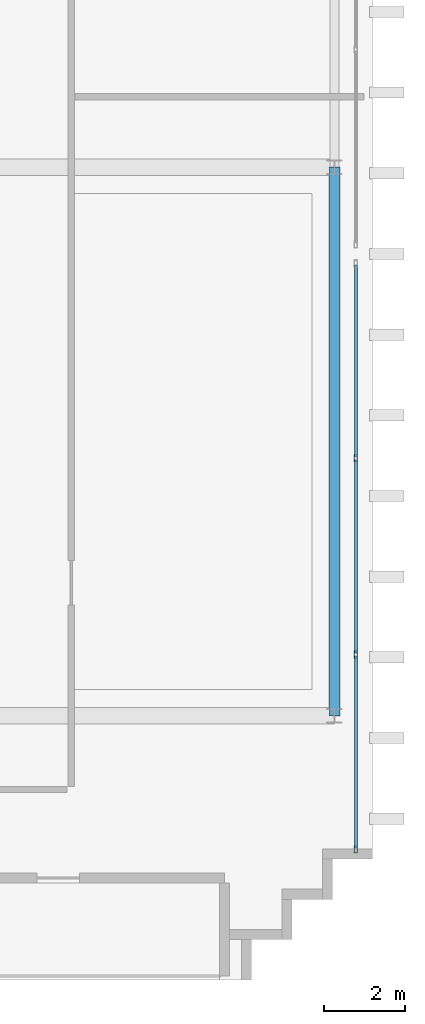
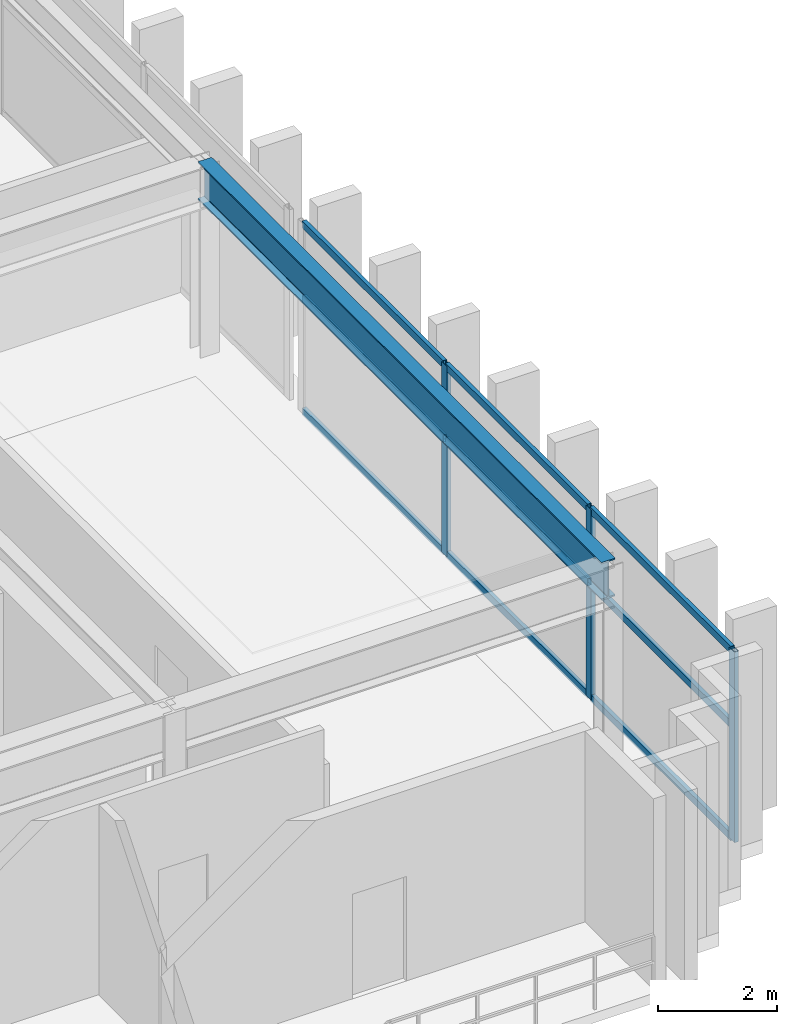
# One storey, part 4 of 14: 12 members, 1 beam, 1 element without a shape of its own.
"""IFC4 building model written with IfcOpenShell, lengths in metres."""

from ifc_helpers import new_model, si_unit, direction, frame, origin, origin_2d, place, context, subcontext, project, spatial, hollow_rectangle, i_section, extrude, source, transform, mapped, material, layer, layer_set, material_profile, profile_set, type_object, element, aggregate, save


model = new_model("IFC4")

# Units and contexts
model_context = context("Model", 3, precision=1e-05, world=origin(), true_north=direction((0.0, 1.0)))
body_context = subcontext(model_context, "Body", "Model", "MODEL_VIEW")
ifc_project = project(units=[si_unit("LENGTHUNIT", "METRE"), si_unit("AREAUNIT", "SQUARE_METRE"), si_unit("VOLUMEUNIT", "CUBIC_METRE"), si_unit("PLANEANGLEUNIT", "RADIAN"), si_unit("MASSUNIT", "GRAM", prefix="KILO")], contexts=[model_context])

# Site, building, storey
site_placement = place(None, origin())
site = spatial("IfcSite", under=ifc_project, at=site_placement, CompositionType="ELEMENT")
building_placement = place(site_placement, origin())
building = spatial("IfcBuilding", under=site, at=building_placement, Name="Ocotamira Hotel", CompositionType="ELEMENT")
storey_placement = place(building_placement, frame((0.0, 0.0, 301.199951171875)))
storey = spatial("IfcBuildingStorey", under=building, at=storey_placement, Name="L77", CompositionType="ELEMENT", Elevation=301.199951171875)

# Beam
ifc_material_1 = material(Name="Steel ASTM A992 Grade 50", Category="steel")
ifc_material_profile_1 = material_profile(ifc_material_1, i_section(OverallWidth=0.26611328125, OverallDepth=0.779052734375, WebThickness=0.0166015625, FlangeThickness=0.030029296875, FilletRadius=0.01806640625, at=origin_2d()), Name="W30X148")
ifc_profile_set_1 = profile_set([ifc_material_profile_1], Name="Steel ASTM A992 Grade 50")
beam_type = type_object("IfcBeamType", Name="BM-GIRD-W30X148", PredefinedType="BEAM", material=ifc_profile_set_1)
shared_shape_1 = source(origin(), body_context, "Body", "SweptSolid", [
    extrude(i_section(OverallWidth=0.26611328125, OverallDepth=0.779052734375, WebThickness=0.0166015625, FlangeThickness=0.030029296875, FilletRadius=0.01806640625, at=origin_2d()), origin(), (0.0, 0.0, 1.0), 13.599853515625),
])
beam_placement = place(storey_placement, frame((32.050048828125, 14.550048828125, 3.530517578125), z_axis=(0.0, 1.0, 0.0), x_axis=(-1.0, 0.0, 0.0)))
element("IfcBeam", 1, at=beam_placement, inside=storey, type_object=beam_type, Name="L77 Beam X32.05 Y14.55-28.15", PredefinedType="BEAM", context=body_context, shape_type="MappedRepresentation", body=[
    mapped(shared_shape_1, transform((0.0, 0.0, 0.0), scale=1.0)),
])

# Curtain wall, members
ifc_material_2 = material(Name="Anodised pale-metal aluminium and solar glass", Category="aluminium")
ifc_layer = layer(ifc_material_2, 0.2099609375)
ifc_layer_set = layer_set([ifc_layer], Name="Anodised pale-metal aluminium and solar glass")
curtain_wall_type = type_object("IfcCurtainWallType", Name="CW-SYS7-PEAK", PredefinedType="NOTDEFINED", material=ifc_layer_set)
curtain_wall_placement = place(storey_placement, origin())
curtain_wall = element("IfcCurtainWall", 2, at=curtain_wall_placement, inside=storey, type_object=curtain_wall_type, Name="L77 Curtain Wall CW-7 CW-L77-E1", PredefinedType="NOTDEFINED")
ifc_material_3 = material(Name="Anodised pale-metal aluminium 6063-T6", Category="aluminium")
ifc_material_profile_2 = material_profile(ifc_material_3, hollow_rectangle(XDim=0.074951171875, YDim=0.14990234375, WallThickness=0.006103515625, at=origin_2d()), Name="HSS150X75X6")
ifc_profile_set_2 = profile_set([ifc_material_profile_2], Name="Anodised pale-metal aluminium 6063-T6")
member_type_1 = type_object("IfcMemberType", Name="CWT-150X75", PredefinedType="USERDEFINED", material=ifc_profile_set_2)
shared_shape_2 = source(origin(), body_context, "Body", "SweptSolid", [
    extrude(hollow_rectangle(XDim=0.074951171875, YDim=0.14990234375, WallThickness=0.006103515625, at=origin_2d()), origin(), (0.0, 0.0, 1.0), 4.74658203125),
])
member_1_placement = place(storey_placement, frame((32.580078125, 11.280029296875, 0.03759765625), z_axis=(0.0, 1.0, 0.0), x_axis=(-1.0, 0.0, 0.0)))
member_1 = element("IfcMember", 3, at=member_1_placement, type_object=member_type_1, Name="CW-7 transom 1.1", ObjectType="TRANSOM", PredefinedType="USERDEFINED", context=body_context, shape_type="MappedRepresentation", body=[
    mapped(shared_shape_2, transform((0.0, 0.0, 0.0), scale=1.0)),
])
member_2_placement = place(storey_placement, frame((32.580078125, 11.280029296875, 2.35009765625), z_axis=(0.0, 1.0, 0.0), x_axis=(-1.0, 0.0, 0.0)))
member_2 = element("IfcMember", 4, at=member_2_placement, type_object=member_type_1, Name="CW-7 transom 1.2", ObjectType="TRANSOM", PredefinedType="USERDEFINED", context=body_context, shape_type="MappedRepresentation", body=[
    mapped(shared_shape_2, transform((0.0, 0.0, 0.0), scale=1.0)),
])
member_3_placement = place(storey_placement, frame((32.580078125, 11.280029296875, 3.882568359375), z_axis=(0.0, 1.0, 0.0), x_axis=(-1.0, 0.0, 0.0)))
member_3 = element("IfcMember", 5, at=member_3_placement, type_object=member_type_1, Name="CW-7 transom 1.3", ObjectType="TRANSOM", PredefinedType="USERDEFINED", context=body_context, shape_type="MappedRepresentation", body=[
    mapped(shared_shape_2, transform((0.0, 0.0, 0.0), scale=1.0)),
])
member_4_placement = place(storey_placement, frame((32.580078125, 20.973388671875, 0.03759765625), z_axis=(0.0, 1.0, 0.0), x_axis=(-1.0, 0.0, 0.0)))
member_4 = element("IfcMember", 6, at=member_4_placement, type_object=member_type_1, Name="CW-7 transom 3.1", ObjectType="TRANSOM", PredefinedType="USERDEFINED", context=body_context, shape_type="MappedRepresentation", body=[
    mapped(shared_shape_2, transform((0.0, 0.0, 0.0), scale=1.0)),
])
member_5_placement = place(storey_placement, frame((32.580078125, 20.973388671875, 2.35009765625), z_axis=(0.0, 1.0, 0.0), x_axis=(-1.0, 0.0, 0.0)))
member_5 = element("IfcMember", 7, at=member_5_placement, type_object=member_type_1, Name="CW-7 transom 3.2", ObjectType="TRANSOM", PredefinedType="USERDEFINED", context=body_context, shape_type="MappedRepresentation", body=[
    mapped(shared_shape_2, transform((0.0, 0.0, 0.0), scale=1.0)),
])
member_6_placement = place(storey_placement, frame((32.580078125, 20.973388671875, 3.882568359375), z_axis=(0.0, 1.0, 0.0), x_axis=(-1.0, 0.0, 0.0)))
member_6 = element("IfcMember", 8, at=member_6_placement, type_object=member_type_1, Name="CW-7 transom 3.3", ObjectType="TRANSOM", PredefinedType="USERDEFINED", context=body_context, shape_type="MappedRepresentation", body=[
    mapped(shared_shape_2, transform((0.0, 0.0, 0.0), scale=1.0)),
])
shared_shape_3 = source(origin(), body_context, "Body", "SweptSolid", [
    extrude(hollow_rectangle(XDim=0.074951171875, YDim=0.14990234375, WallThickness=0.006103515625, at=origin_2d()), origin(), (0.0, 0.0, 1.0), 4.78662109375),
])
member_7_placement = place(storey_placement, frame((32.580078125, 16.106689453125, 0.03759765625), z_axis=(0.0, 1.0, 0.0), x_axis=(-1.0, 0.0, 0.0)))
member_7 = element("IfcMember", 9, at=member_7_placement, type_object=member_type_1, Name="CW-7 transom 2.1", ObjectType="TRANSOM", PredefinedType="USERDEFINED", context=body_context, shape_type="MappedRepresentation", body=[
    mapped(shared_shape_3, transform((0.0, 0.0, 0.0), scale=1.0)),
])
member_8_placement = place(storey_placement, frame((32.580078125, 16.106689453125, 2.35009765625), z_axis=(0.0, 1.0, 0.0), x_axis=(-1.0, 0.0, 0.0)))
member_8 = element("IfcMember", 10, at=member_8_placement, type_object=member_type_1, Name="CW-7 transom 2.2", ObjectType="TRANSOM", PredefinedType="USERDEFINED", context=body_context, shape_type="MappedRepresentation", body=[
    mapped(shared_shape_3, transform((0.0, 0.0, 0.0), scale=1.0)),
])
member_9_placement = place(storey_placement, frame((32.580078125, 16.106689453125, 3.882568359375), z_axis=(0.0, 1.0, 0.0), x_axis=(-1.0, 0.0, 0.0)))
member_9 = element("IfcMember", 11, at=member_9_placement, type_object=member_type_1, Name="CW-7 transom 2.3", ObjectType="TRANSOM", PredefinedType="USERDEFINED", context=body_context, shape_type="MappedRepresentation", body=[
    mapped(shared_shape_3, transform((0.0, 0.0, 0.0), scale=1.0)),
])
ifc_material_profile_3 = material_profile(ifc_material_3, hollow_rectangle(XDim=0.080078125, YDim=0.179931640625, WallThickness=0.006103515625, at=origin_2d()), Name="HSS180X80X6")
ifc_profile_set_3 = profile_set([ifc_material_profile_3], Name="Anodised pale-metal aluminium 6063-T6")
member_type_2 = type_object("IfcMemberType", Name="CWM-180X75", PredefinedType="MULLION", material=ifc_profile_set_3)
shared_shape_4 = source(origin(), body_context, "Body", "SweptSolid", [
    extrude(hollow_rectangle(XDim=0.080078125, YDim=0.179931640625, WallThickness=0.006103515625, at=origin_2d()), origin(), (0.0, 0.0, 1.0), 3.920166015625),
])
member_10_placement = place(storey_placement, frame((32.580078125, 11.239990234375, 0.0), z_axis=(0.0, 0.0, 1.0), x_axis=(-1.0, 0.0, 0.0)))
member_10 = element("IfcMember", 12, at=member_10_placement, type_object=member_type_2, Name="CW-7 mullion 1", PredefinedType="MULLION", context=body_context, shape_type="MappedRepresentation", body=[
    mapped(shared_shape_4, transform((0.0, 0.0, 0.0), scale=1.0)),
])
member_11_placement = place(storey_placement, frame((32.580078125, 16.066650390625, 0.0), z_axis=(0.0, 0.0, 1.0), x_axis=(-1.0, 0.0, 0.0)))
member_11 = element("IfcMember", 13, at=member_11_placement, type_object=member_type_2, Name="CW-7 mullion 2", PredefinedType="MULLION", context=body_context, shape_type="MappedRepresentation", body=[
    mapped(shared_shape_4, transform((0.0, 0.0, 0.0), scale=1.0)),
])
member_12_placement = place(storey_placement, frame((32.580078125, 20.933349609375, 0.0), z_axis=(0.0, 0.0, 1.0), x_axis=(-1.0, 0.0, 0.0)))
member_12 = element("IfcMember", 14, at=member_12_placement, type_object=member_type_2, Name="CW-7 mullion 3", PredefinedType="MULLION", context=body_context, shape_type="MappedRepresentation", body=[
    mapped(shared_shape_4, transform((0.0, 0.0, 0.0), scale=1.0)),
])
aggregate(curtain_wall, [member_10, member_11, member_12, member_1, member_2, member_3, member_7, member_8, member_9, member_4, member_5, member_6])

save(model, "model.ifc")
